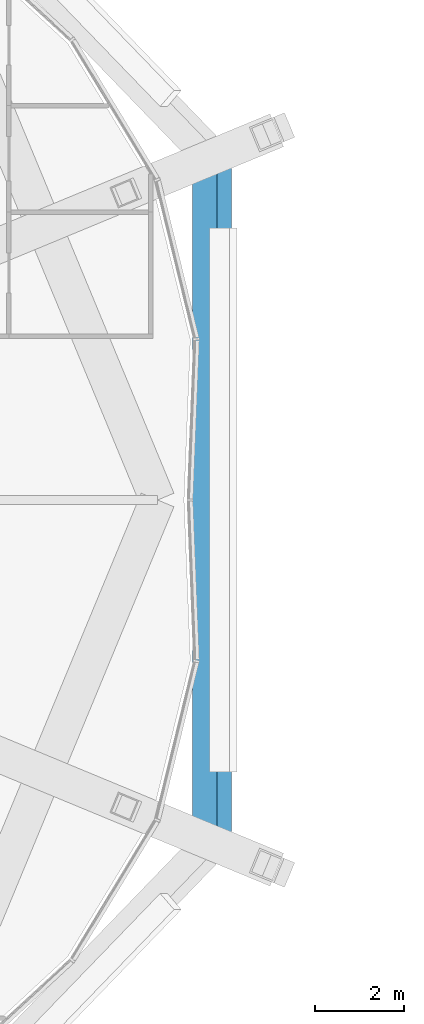
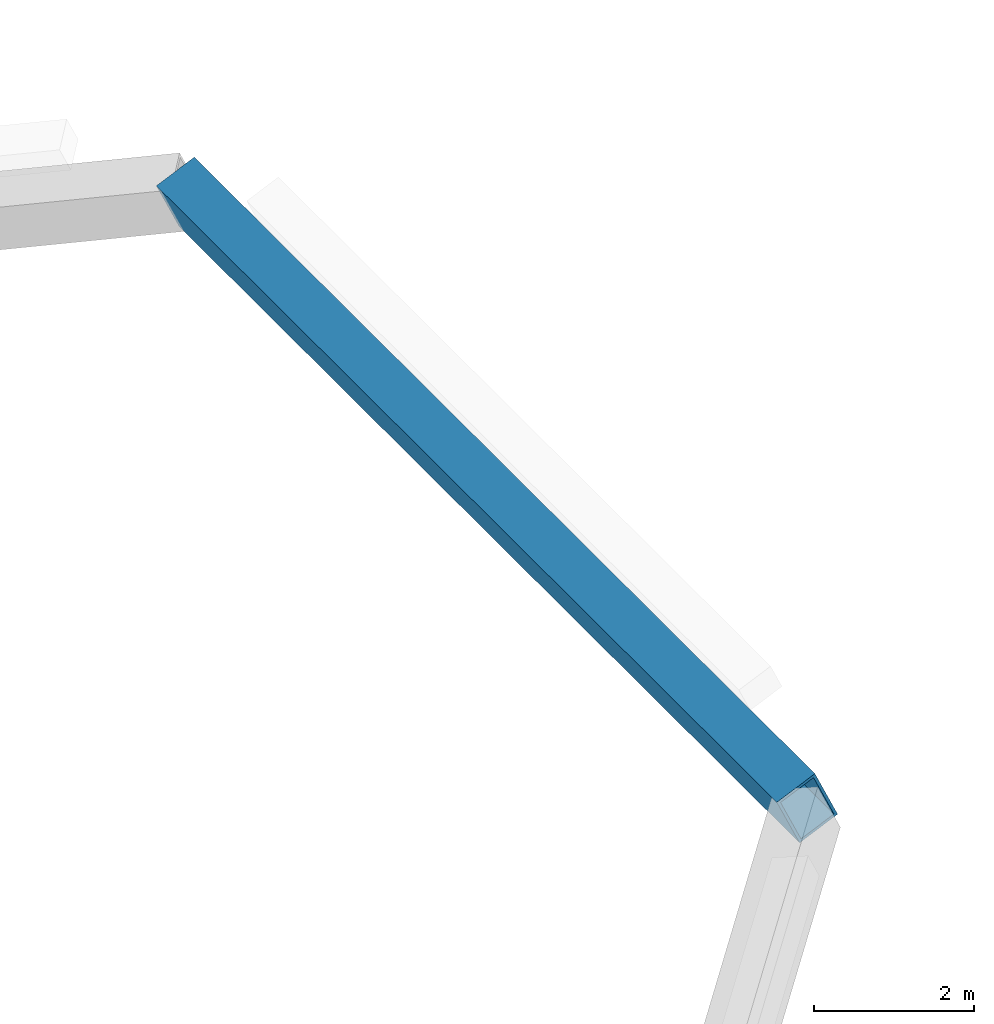
# One storey, part 8 of 34: 1 beam.
"""IFC4 building model written with IfcOpenShell, lengths in metres."""

from ifc_helpers import new_model, si_unit, direction, frame, origin, origin_2d, place, context, subcontext, project, spatial, hollow_rectangle, extrude, material, material_profile, profile_set, type_object, element, save


model = new_model("IFC4")

# Units and contexts
model_context = context("Model", 3, precision=1e-05, world=origin(), true_north=direction((0.0, 1.0)))
body_context = subcontext(model_context, "Body", "Model", "MODEL_VIEW")
ifc_project = project(units=[si_unit("LENGTHUNIT", "METRE"), si_unit("AREAUNIT", "SQUARE_METRE"), si_unit("VOLUMEUNIT", "CUBIC_METRE"), si_unit("PLANEANGLEUNIT", "RADIAN"), si_unit("MASSUNIT", "GRAM", prefix="KILO")], contexts=[model_context])

# Site, building, storey
site_placement = place(None, origin())
site = spatial("IfcSite", under=ifc_project, at=site_placement, CompositionType="ELEMENT")
building_placement = place(site_placement, origin())
building = spatial("IfcBuilding", under=site, at=building_placement, Name="Ogive Gate Towers", CompositionType="ELEMENT")
storey_placement = place(building_placement, frame((0.0, 0.0, 294.0)))
storey = spatial("IfcBuildingStorey", under=building, at=storey_placement, Name="L69", CompositionType="ELEMENT", Elevation=294.0)

# Beam
ifc_material = material(Name="Steel SM460", Category="steel")
ifc_material_profile = material_profile(ifc_material, hollow_rectangle(XDim=0.60009765625, YDim=0.800048828125, WallThickness=0.0400390625, at=origin_2d()), Name="BX 800x600x40")
ifc_profile_set = profile_set([ifc_material_profile], Name="Steel SM460")
beam_type = type_object("IfcBeamType", Name="Crown ring beam BX 800x600x40", PredefinedType="BEAM", material=ifc_profile_set)
beam_placement = place(storey_placement, frame((-17.31591796875, -7.7392578125, 25.42041015625), z_axis=(0.0, 1.0, 0.0), x_axis=(0.91281824834, 0.0, 0.408366068006)))
element("IfcBeam", 1, at=beam_placement, inside=storey, type_object=beam_type, Name="T1/L69/SBM008", PredefinedType="BEAM", context=body_context, shape_type="SweptSolid", body=[
    extrude(hollow_rectangle(XDim=0.60009765625, YDim=0.800048828125, WallThickness=0.0400390625, at=origin_2d()), origin(), (0.0, 0.0, 1.0), 15.478515625),
])

save(model, "model.ifc")
